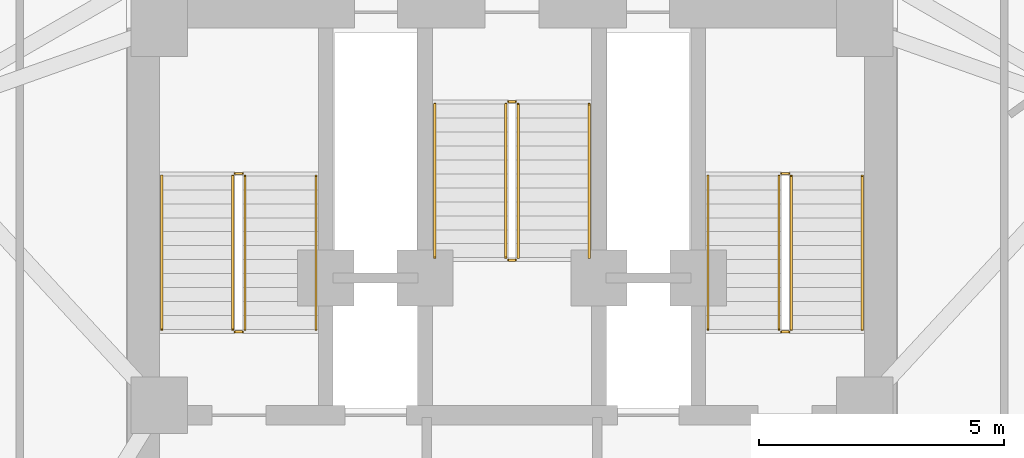
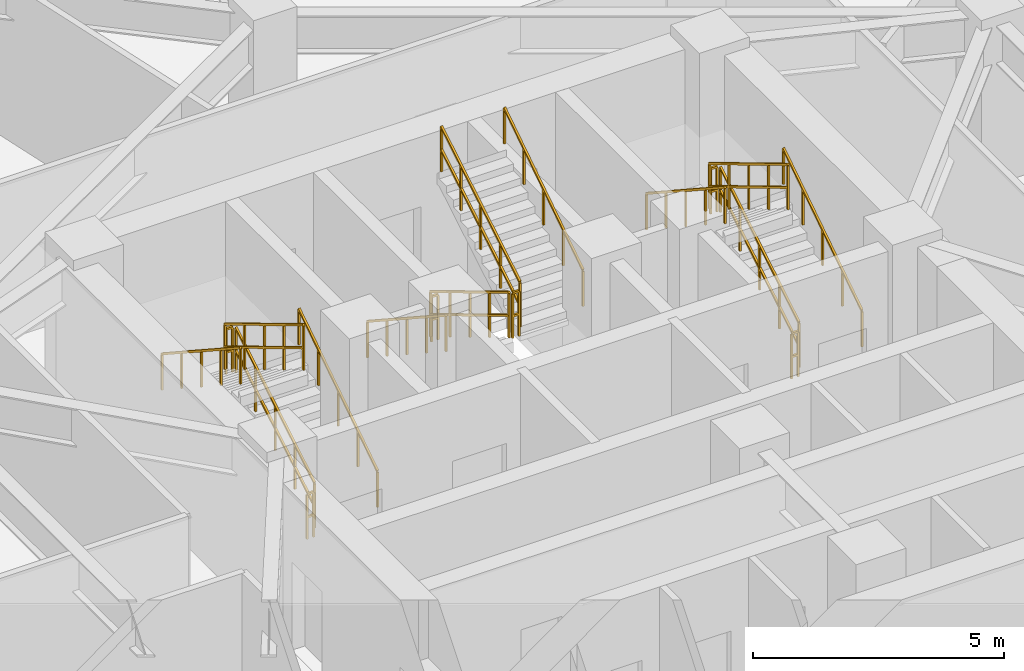
# One storey, part 10 of 10: 18 railings.
"""IFC4 building model written with IfcOpenShell, lengths in metres."""

from ifc_helpers import new_model, si_unit, direction, frame, origin, origin_2d, place, context, subcontext, project, spatial, rectangle, extrude, material, type_object, element, save


model = new_model("IFC4")

# Units and contexts
model_context = context("Model", 3, precision=1e-05, world=origin(), true_north=direction((0.0, 1.0)))
body_context = subcontext(model_context, "Body", "Model", "MODEL_VIEW")
ifc_project = project(units=[si_unit("LENGTHUNIT", "METRE"), si_unit("AREAUNIT", "SQUARE_METRE"), si_unit("VOLUMEUNIT", "CUBIC_METRE"), si_unit("PLANEANGLEUNIT", "RADIAN"), si_unit("MASSUNIT", "GRAM", prefix="KILO")], contexts=[model_context])

# Site, building, storey
site_placement = place(None, origin())
site = spatial("IfcSite", under=ifc_project, at=site_placement, CompositionType="ELEMENT")
building_placement = place(site_placement, origin())
building = spatial("IfcBuilding", under=site, at=building_placement, Name="Apsidion Concourse Tower", CompositionType="ELEMENT")
storey_placement = place(building_placement, frame((0.0, 0.0, 218.800048828125)))
storey = spatial("IfcBuildingStorey", under=building, at=storey_placement, Name="L51", CompositionType="ELEMENT", Elevation=218.800048828125)

# Railings
ifc_material = material(Name="Brushed stainless steel 316", Category="steel")
railing_type_1 = type_object("IfcRailingType", Name="RL-GUARD-1100", PredefinedType="GUARDRAIL", material=ifc_material)
railing_1_placement = place(storey_placement, frame((-5.449951171875, 3.0, 0.1708984375)))
element("IfcRailing", 1, at=railing_1_placement, inside=storey, type_object=railing_type_1, Name="L51 ST1 stair guard 1", PredefinedType="GUARDRAIL", context=body_context, shape_type="SweptSolid", body=[
    extrude(rectangle(XDim=0.048095703125, YDim=0.048095703125, at=origin_2d()), frame((0.0, 0.0, 1.09619140625), z_axis=(0.0, 0.857716804754, 0.514122439544), x_axis=(-1.0, 0.0, 0.0)), (0.0, 0.0, 1.0), 3.655029296875),
    extrude(rectangle(XDim=0.048095703125, YDim=0.048095703125, at=origin_2d()), frame((0.0, 0.0, 0.5361328125), z_axis=(0.0, 0.857716804754, 0.514122439544), x_axis=(-1.0, 0.0, 0.0)), (0.0, 0.0, 1.0), 3.655029296875),
    extrude(rectangle(XDim=0.0419921875, YDim=0.0419921875, at=origin_2d()), origin(), (0.0, 0.0, 1.0), 1.072021484375),
    extrude(rectangle(XDim=0.0419921875, YDim=0.0419921875, at=origin_2d()), frame((0.0, 0.78369140625, 0.4697265625)), (0.0, 0.0, 1.0), 1.072021484375),
    extrude(rectangle(XDim=0.0419921875, YDim=0.0419921875, at=origin_2d()), frame((0.0, 1.5673828125, 0.939453125)), (0.0, 0.0, 1.0), 1.072021484375),
    extrude(rectangle(XDim=0.0419921875, YDim=0.0419921875, at=origin_2d()), frame((0.0, 2.351318359375, 1.409423828125)), (0.0, 0.0, 1.0), 1.072021484375),
    extrude(rectangle(XDim=0.0419921875, YDim=0.0419921875, at=origin_2d()), frame((0.0, 3.135009765625, 1.879150390625)), (0.0, 0.0, 1.0), 1.072021484375),
])
railing_2_placement = place(storey_placement, frame((-5.5, 6.18505859375, 2.050048828125)))
element("IfcRailing", 2, at=railing_2_placement, inside=storey, type_object=railing_type_1, Name="L51 ST1 stair guard 2", PredefinedType="GUARDRAIL", context=body_context, shape_type="SweptSolid", body=[
    extrude(rectangle(XDim=0.048095703125, YDim=0.048095703125, at=origin_2d()), frame((0.0, 0.0, 1.09619140625), z_axis=(-1.0, 0.0, 0.0), x_axis=(0.0, -1.0, 0.0)), (0.0, 0.0, 1.0), 0.14990234375),
    extrude(rectangle(XDim=0.048095703125, YDim=0.048095703125, at=origin_2d()), frame((0.0, 0.0, 0.5361328125), z_axis=(-1.0, 0.0, 0.0), x_axis=(0.0, -1.0, 0.0)), (0.0, 0.0, 1.0), 0.14990234375),
    extrude(rectangle(XDim=0.0419921875, YDim=0.0419921875, at=origin_2d()), origin(), (0.0, 0.0, 1.0), 1.072021484375),
    extrude(rectangle(XDim=0.0419921875, YDim=0.0419921875, at=origin_2d()), frame((-0.14990234375, 0.0, 0.0)), (0.0, 0.0, 1.0), 1.072021484375),
])
railing_3_placement = place(storey_placement, frame((-5.699951171875, 6.135009765625, 2.220703125)))
element("IfcRailing", 3, at=railing_3_placement, inside=storey, type_object=railing_type_1, Name="L51 ST1 stair guard 3", PredefinedType="GUARDRAIL", context=body_context, shape_type="SweptSolid", body=[
    extrude(rectangle(XDim=0.048095703125, YDim=0.048095703125, at=origin_2d()), frame((0.0, 0.0, 1.09619140625), z_axis=(0.0, -0.857716804754, 0.514122439544), x_axis=(1.0, 0.0, 0.0)), (0.0, 0.0, 1.0), 3.655029296875),
    extrude(rectangle(XDim=0.048095703125, YDim=0.048095703125, at=origin_2d()), frame((0.0, 0.0, 0.5361328125), z_axis=(0.0, -0.857716804754, 0.514122439544), x_axis=(1.0, 0.0, 0.0)), (0.0, 0.0, 1.0), 3.655029296875),
    extrude(rectangle(XDim=0.0419921875, YDim=0.0419921875, at=origin_2d()), origin(), (0.0, 0.0, 1.0), 1.072021484375),
    extrude(rectangle(XDim=0.0419921875, YDim=0.0419921875, at=origin_2d()), frame((0.0, -0.78369140625, 0.4697265625)), (0.0, 0.0, 1.0), 1.072021484375),
    extrude(rectangle(XDim=0.0419921875, YDim=0.0419921875, at=origin_2d()), frame((0.0, -1.5673828125, 0.939453125)), (0.0, 0.0, 1.0), 1.072021484375),
    extrude(rectangle(XDim=0.0419921875, YDim=0.0419921875, at=origin_2d()), frame((0.0, -2.351318359375, 1.409423828125)), (0.0, 0.0, 1.0), 1.072021484375),
    extrude(rectangle(XDim=0.0419921875, YDim=0.0419921875, at=origin_2d()), frame((0.0, -3.135009765625, 1.879150390625)), (0.0, 0.0, 1.0), 1.072021484375),
])
railing_4_placement = place(storey_placement, frame((-5.5, 2.949951171875, 0.0)))
element("IfcRailing", 4, at=railing_4_placement, inside=storey, type_object=railing_type_1, Name="L51 ST1 stair guard 4", PredefinedType="GUARDRAIL", context=body_context, shape_type="SweptSolid", body=[
    extrude(rectangle(XDim=0.048095703125, YDim=0.048095703125, at=origin_2d()), frame((0.0, 0.0, 1.09619140625), z_axis=(-1.0, 0.0, 0.0), x_axis=(0.0, -1.0, 0.0)), (0.0, 0.0, 1.0), 0.14990234375),
    extrude(rectangle(XDim=0.048095703125, YDim=0.048095703125, at=origin_2d()), frame((0.0, 0.0, 0.5361328125), z_axis=(-1.0, 0.0, 0.0), x_axis=(0.0, -1.0, 0.0)), (0.0, 0.0, 1.0), 0.14990234375),
    extrude(rectangle(XDim=0.0419921875, YDim=0.0419921875, at=origin_2d()), origin(), (0.0, 0.0, 1.0), 1.072021484375),
    extrude(rectangle(XDim=0.0419921875, YDim=0.0419921875, at=origin_2d()), frame((-0.14990234375, 0.0, 0.0)), (0.0, 0.0, 1.0), 1.072021484375),
])
railing_5_placement = place(storey_placement, frame((5.699951171875, 3.0, 0.1708984375)))
element("IfcRailing", 5, at=railing_5_placement, inside=storey, type_object=railing_type_1, Name="L51 ST2 stair guard 1", PredefinedType="GUARDRAIL", context=body_context, shape_type="SweptSolid", body=[
    extrude(rectangle(XDim=0.048095703125, YDim=0.048095703125, at=origin_2d()), frame((0.0, 0.0, 1.09619140625), z_axis=(0.0, 0.857716804754, 0.514122439544), x_axis=(-1.0, 0.0, 0.0)), (0.0, 0.0, 1.0), 3.655029296875),
    extrude(rectangle(XDim=0.048095703125, YDim=0.048095703125, at=origin_2d()), frame((0.0, 0.0, 0.5361328125), z_axis=(0.0, 0.857716804754, 0.514122439544), x_axis=(-1.0, 0.0, 0.0)), (0.0, 0.0, 1.0), 3.655029296875),
    extrude(rectangle(XDim=0.0419921875, YDim=0.0419921875, at=origin_2d()), origin(), (0.0, 0.0, 1.0), 1.072021484375),
    extrude(rectangle(XDim=0.0419921875, YDim=0.0419921875, at=origin_2d()), frame((0.0, 0.78369140625, 0.4697265625)), (0.0, 0.0, 1.0), 1.072021484375),
    extrude(rectangle(XDim=0.0419921875, YDim=0.0419921875, at=origin_2d()), frame((0.0, 1.5673828125, 0.939453125)), (0.0, 0.0, 1.0), 1.072021484375),
    extrude(rectangle(XDim=0.0419921875, YDim=0.0419921875, at=origin_2d()), frame((0.0, 2.351318359375, 1.409423828125)), (0.0, 0.0, 1.0), 1.072021484375),
    extrude(rectangle(XDim=0.0419921875, YDim=0.0419921875, at=origin_2d()), frame((0.0, 3.135009765625, 1.879150390625)), (0.0, 0.0, 1.0), 1.072021484375),
])
railing_6_placement = place(storey_placement, frame((5.64990234375, 6.18505859375, 2.050048828125)))
element("IfcRailing", 6, at=railing_6_placement, inside=storey, type_object=railing_type_1, Name="L51 ST2 stair guard 2", PredefinedType="GUARDRAIL", context=body_context, shape_type="SweptSolid", body=[
    extrude(rectangle(XDim=0.048095703125, YDim=0.048095703125, at=origin_2d()), frame((0.0, 0.0, 1.09619140625), z_axis=(-1.0, 0.0, 0.0), x_axis=(0.0, -1.0, 0.0)), (0.0, 0.0, 1.0), 0.14990234375),
    extrude(rectangle(XDim=0.048095703125, YDim=0.048095703125, at=origin_2d()), frame((0.0, 0.0, 0.5361328125), z_axis=(-1.0, 0.0, 0.0), x_axis=(0.0, -1.0, 0.0)), (0.0, 0.0, 1.0), 0.14990234375),
    extrude(rectangle(XDim=0.0419921875, YDim=0.0419921875, at=origin_2d()), origin(), (0.0, 0.0, 1.0), 1.072021484375),
    extrude(rectangle(XDim=0.0419921875, YDim=0.0419921875, at=origin_2d()), frame((-0.14990234375, 0.0, 0.0)), (0.0, 0.0, 1.0), 1.072021484375),
])
railing_7_placement = place(storey_placement, frame((5.449951171875, 6.135009765625, 2.220703125)))
element("IfcRailing", 7, at=railing_7_placement, inside=storey, type_object=railing_type_1, Name="L51 ST2 stair guard 3", PredefinedType="GUARDRAIL", context=body_context, shape_type="SweptSolid", body=[
    extrude(rectangle(XDim=0.048095703125, YDim=0.048095703125, at=origin_2d()), frame((0.0, 0.0, 1.09619140625), z_axis=(0.0, -0.857716804754, 0.514122439544), x_axis=(1.0, 0.0, 0.0)), (0.0, 0.0, 1.0), 3.655029296875),
    extrude(rectangle(XDim=0.048095703125, YDim=0.048095703125, at=origin_2d()), frame((0.0, 0.0, 0.5361328125), z_axis=(0.0, -0.857716804754, 0.514122439544), x_axis=(1.0, 0.0, 0.0)), (0.0, 0.0, 1.0), 3.655029296875),
    extrude(rectangle(XDim=0.0419921875, YDim=0.0419921875, at=origin_2d()), origin(), (0.0, 0.0, 1.0), 1.072021484375),
    extrude(rectangle(XDim=0.0419921875, YDim=0.0419921875, at=origin_2d()), frame((0.0, -0.78369140625, 0.4697265625)), (0.0, 0.0, 1.0), 1.072021484375),
    extrude(rectangle(XDim=0.0419921875, YDim=0.0419921875, at=origin_2d()), frame((0.0, -1.5673828125, 0.939453125)), (0.0, 0.0, 1.0), 1.072021484375),
    extrude(rectangle(XDim=0.0419921875, YDim=0.0419921875, at=origin_2d()), frame((0.0, -2.351318359375, 1.409423828125)), (0.0, 0.0, 1.0), 1.072021484375),
    extrude(rectangle(XDim=0.0419921875, YDim=0.0419921875, at=origin_2d()), frame((0.0, -3.135009765625, 1.879150390625)), (0.0, 0.0, 1.0), 1.072021484375),
])
railing_8_placement = place(storey_placement, frame((5.64990234375, 2.949951171875, 0.0)))
element("IfcRailing", 8, at=railing_8_placement, inside=storey, type_object=railing_type_1, Name="L51 ST2 stair guard 4", PredefinedType="GUARDRAIL", context=body_context, shape_type="SweptSolid", body=[
    extrude(rectangle(XDim=0.048095703125, YDim=0.048095703125, at=origin_2d()), frame((0.0, 0.0, 1.09619140625), z_axis=(-1.0, 0.0, 0.0), x_axis=(0.0, -1.0, 0.0)), (0.0, 0.0, 1.0), 0.14990234375),
    extrude(rectangle(XDim=0.048095703125, YDim=0.048095703125, at=origin_2d()), frame((0.0, 0.0, 0.5361328125), z_axis=(-1.0, 0.0, 0.0), x_axis=(0.0, -1.0, 0.0)), (0.0, 0.0, 1.0), 0.14990234375),
    extrude(rectangle(XDim=0.0419921875, YDim=0.0419921875, at=origin_2d()), origin(), (0.0, 0.0, 1.0), 1.072021484375),
    extrude(rectangle(XDim=0.0419921875, YDim=0.0419921875, at=origin_2d()), frame((-0.14990234375, 0.0, 0.0)), (0.0, 0.0, 1.0), 1.072021484375),
])
railing_9_placement = place(storey_placement, frame((-0.125, 7.60009765625, 0.1708984375)))
element("IfcRailing", 9, at=railing_9_placement, inside=storey, type_object=railing_type_1, Name="L51 ST3 stair guard 1", PredefinedType="GUARDRAIL", context=body_context, shape_type="SweptSolid", body=[
    extrude(rectangle(XDim=0.048095703125, YDim=0.048095703125, at=origin_2d()), frame((0.0, 0.0, 1.09619140625), z_axis=(0.0, -0.857716804754, 0.514122439544), x_axis=(1.0, 0.0, 0.0)), (0.0, 0.0, 1.0), 3.655029296875),
    extrude(rectangle(XDim=0.048095703125, YDim=0.048095703125, at=origin_2d()), frame((0.0, 0.0, 0.5361328125), z_axis=(0.0, -0.857716804754, 0.514122439544), x_axis=(1.0, 0.0, 0.0)), (0.0, 0.0, 1.0), 3.655029296875),
    extrude(rectangle(XDim=0.0419921875, YDim=0.0419921875, at=origin_2d()), origin(), (0.0, 0.0, 1.0), 1.072021484375),
    extrude(rectangle(XDim=0.0419921875, YDim=0.0419921875, at=origin_2d()), frame((0.0, -0.78369140625, 0.4697265625)), (0.0, 0.0, 1.0), 1.072021484375),
    extrude(rectangle(XDim=0.0419921875, YDim=0.0419921875, at=origin_2d()), frame((0.0, -1.5673828125, 0.939453125)), (0.0, 0.0, 1.0), 1.072021484375),
    extrude(rectangle(XDim=0.0419921875, YDim=0.0419921875, at=origin_2d()), frame((0.0, -2.351318359375, 1.409423828125)), (0.0, 0.0, 1.0), 1.072021484375),
    extrude(rectangle(XDim=0.0419921875, YDim=0.0419921875, at=origin_2d()), frame((0.0, -3.135009765625, 1.879150390625)), (0.0, 0.0, 1.0), 1.072021484375),
])
railing_10_placement = place(storey_placement, frame((-0.074951171875, 4.4150390625, 2.050048828125)))
element("IfcRailing", 10, at=railing_10_placement, inside=storey, type_object=railing_type_1, Name="L51 ST3 stair guard 2", PredefinedType="GUARDRAIL", context=body_context, shape_type="SweptSolid", body=[
    extrude(rectangle(XDim=0.048095703125, YDim=0.048095703125, at=origin_2d()), frame((0.0, 0.0, 1.09619140625), z_axis=(1.0, 0.0, 0.0), x_axis=(0.0, 1.0, 0.0)), (0.0, 0.0, 1.0), 0.14990234375),
    extrude(rectangle(XDim=0.048095703125, YDim=0.048095703125, at=origin_2d()), frame((0.0, 0.0, 0.5361328125), z_axis=(1.0, 0.0, 0.0), x_axis=(0.0, 1.0, 0.0)), (0.0, 0.0, 1.0), 0.14990234375),
    extrude(rectangle(XDim=0.0419921875, YDim=0.0419921875, at=origin_2d()), origin(), (0.0, 0.0, 1.0), 1.072021484375),
    extrude(rectangle(XDim=0.0419921875, YDim=0.0419921875, at=origin_2d()), frame((0.14990234375, 0.0, 0.0)), (0.0, 0.0, 1.0), 1.072021484375),
])
railing_11_placement = place(storey_placement, frame((0.125, 4.465087890625, 2.220703125)))
element("IfcRailing", 11, at=railing_11_placement, inside=storey, type_object=railing_type_1, Name="L51 ST3 stair guard 3", PredefinedType="GUARDRAIL", context=body_context, shape_type="SweptSolid", body=[
    extrude(rectangle(XDim=0.048095703125, YDim=0.048095703125, at=origin_2d()), frame((0.0, 0.0, 1.09619140625), z_axis=(0.0, 0.857716804754, 0.514122439544), x_axis=(-1.0, 0.0, 0.0)), (0.0, 0.0, 1.0), 3.655029296875),
    extrude(rectangle(XDim=0.048095703125, YDim=0.048095703125, at=origin_2d()), frame((0.0, 0.0, 0.5361328125), z_axis=(0.0, 0.857716804754, 0.514122439544), x_axis=(-1.0, 0.0, 0.0)), (0.0, 0.0, 1.0), 3.655029296875),
    extrude(rectangle(XDim=0.0419921875, YDim=0.0419921875, at=origin_2d()), origin(), (0.0, 0.0, 1.0), 1.072021484375),
    extrude(rectangle(XDim=0.0419921875, YDim=0.0419921875, at=origin_2d()), frame((0.0, 0.78369140625, 0.4697265625)), (0.0, 0.0, 1.0), 1.072021484375),
    extrude(rectangle(XDim=0.0419921875, YDim=0.0419921875, at=origin_2d()), frame((0.0, 1.5673828125, 0.939453125)), (0.0, 0.0, 1.0), 1.072021484375),
    extrude(rectangle(XDim=0.0419921875, YDim=0.0419921875, at=origin_2d()), frame((0.0, 2.351318359375, 1.409423828125)), (0.0, 0.0, 1.0), 1.072021484375),
    extrude(rectangle(XDim=0.0419921875, YDim=0.0419921875, at=origin_2d()), frame((0.0, 3.135009765625, 1.879150390625)), (0.0, 0.0, 1.0), 1.072021484375),
])
railing_12_placement = place(storey_placement, frame((-0.074951171875, 7.64990234375, 0.0)))
element("IfcRailing", 12, at=railing_12_placement, inside=storey, type_object=railing_type_1, Name="L51 ST3 stair guard 4", PredefinedType="GUARDRAIL", context=body_context, shape_type="SweptSolid", body=[
    extrude(rectangle(XDim=0.048095703125, YDim=0.048095703125, at=origin_2d()), frame((0.0, 0.0, 1.09619140625), z_axis=(1.0, 0.0, 0.0), x_axis=(0.0, 1.0, 0.0)), (0.0, 0.0, 1.0), 0.14990234375),
    extrude(rectangle(XDim=0.048095703125, YDim=0.048095703125, at=origin_2d()), frame((0.0, 0.0, 0.5361328125), z_axis=(1.0, 0.0, 0.0), x_axis=(0.0, 1.0, 0.0)), (0.0, 0.0, 1.0), 0.14990234375),
    extrude(rectangle(XDim=0.0419921875, YDim=0.0419921875, at=origin_2d()), origin(), (0.0, 0.0, 1.0), 1.072021484375),
    extrude(rectangle(XDim=0.0419921875, YDim=0.0419921875, at=origin_2d()), frame((0.14990234375, 0.0, 0.0)), (0.0, 0.0, 1.0), 1.072021484375),
])
railing_type_2 = type_object("IfcRailingType", Name="RL-HAND-900", PredefinedType="HANDRAIL", material=ifc_material)
railing_13_placement = place(storey_placement, frame((-4.0, 3.0, 0.1708984375)))
element("IfcRailing", 13, at=railing_13_placement, inside=storey, type_object=railing_type_2, Name="L51 ST1 stair handrail 1", PredefinedType="HANDRAIL", context=body_context, shape_type="SweptSolid", body=[
    extrude(rectangle(XDim=0.048095703125, YDim=0.048095703125, at=origin_2d()), frame((0.0, 0.0, 0.8759765625), z_axis=(0.0, 0.836970762213, 0.547247606848), x_axis=(-1.0, 0.0, 0.0)), (0.0, 0.0, 1.0), 3.74560546875),
    extrude(rectangle(XDim=0.0419921875, YDim=0.0419921875, at=origin_2d()), origin(), (0.0, 0.0, 1.0), 0.851806640625),
    extrude(rectangle(XDim=0.0419921875, YDim=0.0419921875, at=origin_2d()), frame((0.0, 0.78369140625, 0.512451171875)), (0.0, 0.0, 1.0), 0.851806640625),
    extrude(rectangle(XDim=0.0419921875, YDim=0.0419921875, at=origin_2d()), frame((0.0, 1.5673828125, 1.02490234375)), (0.0, 0.0, 1.0), 0.851806640625),
    extrude(rectangle(XDim=0.0419921875, YDim=0.0419921875, at=origin_2d()), frame((0.0, 2.351318359375, 1.537353515625)), (0.0, 0.0, 1.0), 0.851806640625),
    extrude(rectangle(XDim=0.0419921875, YDim=0.0419921875, at=origin_2d()), frame((0.0, 3.135009765625, 2.0498046875)), (0.0, 0.0, 1.0), 0.851806640625),
])
railing_14_placement = place(storey_placement, frame((-7.14990234375, 6.135009765625, 2.220703125)))
element("IfcRailing", 14, at=railing_14_placement, inside=storey, type_object=railing_type_2, Name="L51 ST1 stair handrail 2", PredefinedType="HANDRAIL", context=body_context, shape_type="SweptSolid", body=[
    extrude(rectangle(XDim=0.048095703125, YDim=0.048095703125, at=origin_2d()), frame((0.0, 0.0, 0.8759765625), z_axis=(0.0, -0.836940907821, 0.547293263996), x_axis=(1.0, 0.0, 0.0)), (0.0, 0.0, 1.0), 3.745849609375),
    extrude(rectangle(XDim=0.0419921875, YDim=0.0419921875, at=origin_2d()), origin(), (0.0, 0.0, 1.0), 0.851806640625),
    extrude(rectangle(XDim=0.0419921875, YDim=0.0419921875, at=origin_2d()), frame((0.0, -0.78369140625, 0.512451171875)), (0.0, 0.0, 1.0), 0.851806640625),
    extrude(rectangle(XDim=0.0419921875, YDim=0.0419921875, at=origin_2d()), frame((0.0, -1.5673828125, 1.02490234375)), (0.0, 0.0, 1.0), 0.851806640625),
    extrude(rectangle(XDim=0.0419921875, YDim=0.0419921875, at=origin_2d()), frame((0.0, -2.351318359375, 1.53759765625)), (0.0, 0.0, 1.0), 0.851806640625),
    extrude(rectangle(XDim=0.0419921875, YDim=0.0419921875, at=origin_2d()), frame((0.0, -3.135009765625, 2.050048828125)), (0.0, 0.0, 1.0), 0.851806640625),
])
railing_15_placement = place(storey_placement, frame((7.14990234375, 3.0, 0.1708984375)))
element("IfcRailing", 15, at=railing_15_placement, inside=storey, type_object=railing_type_2, Name="L51 ST2 stair handrail 1", PredefinedType="HANDRAIL", context=body_context, shape_type="SweptSolid", body=[
    extrude(rectangle(XDim=0.048095703125, YDim=0.048095703125, at=origin_2d()), frame((0.0, 0.0, 0.8759765625), z_axis=(0.0, 0.836970762213, 0.547247606848), x_axis=(-1.0, 0.0, 0.0)), (0.0, 0.0, 1.0), 3.74560546875),
    extrude(rectangle(XDim=0.0419921875, YDim=0.0419921875, at=origin_2d()), origin(), (0.0, 0.0, 1.0), 0.851806640625),
    extrude(rectangle(XDim=0.0419921875, YDim=0.0419921875, at=origin_2d()), frame((0.0, 0.78369140625, 0.512451171875)), (0.0, 0.0, 1.0), 0.851806640625),
    extrude(rectangle(XDim=0.0419921875, YDim=0.0419921875, at=origin_2d()), frame((0.0, 1.5673828125, 1.02490234375)), (0.0, 0.0, 1.0), 0.851806640625),
    extrude(rectangle(XDim=0.0419921875, YDim=0.0419921875, at=origin_2d()), frame((0.0, 2.351318359375, 1.537353515625)), (0.0, 0.0, 1.0), 0.851806640625),
    extrude(rectangle(XDim=0.0419921875, YDim=0.0419921875, at=origin_2d()), frame((0.0, 3.135009765625, 2.0498046875)), (0.0, 0.0, 1.0), 0.851806640625),
])
railing_16_placement = place(storey_placement, frame((4.0, 6.135009765625, 2.220703125)))
element("IfcRailing", 16, at=railing_16_placement, inside=storey, type_object=railing_type_2, Name="L51 ST2 stair handrail 2", PredefinedType="HANDRAIL", context=body_context, shape_type="SweptSolid", body=[
    extrude(rectangle(XDim=0.048095703125, YDim=0.048095703125, at=origin_2d()), frame((0.0, 0.0, 0.8759765625), z_axis=(0.0, -0.836940907821, 0.547293263996), x_axis=(1.0, 0.0, 0.0)), (0.0, 0.0, 1.0), 3.745849609375),
    extrude(rectangle(XDim=0.0419921875, YDim=0.0419921875, at=origin_2d()), origin(), (0.0, 0.0, 1.0), 0.851806640625),
    extrude(rectangle(XDim=0.0419921875, YDim=0.0419921875, at=origin_2d()), frame((0.0, -0.78369140625, 0.512451171875)), (0.0, 0.0, 1.0), 0.851806640625),
    extrude(rectangle(XDim=0.0419921875, YDim=0.0419921875, at=origin_2d()), frame((0.0, -1.5673828125, 1.02490234375)), (0.0, 0.0, 1.0), 0.851806640625),
    extrude(rectangle(XDim=0.0419921875, YDim=0.0419921875, at=origin_2d()), frame((0.0, -2.351318359375, 1.53759765625)), (0.0, 0.0, 1.0), 0.851806640625),
    extrude(rectangle(XDim=0.0419921875, YDim=0.0419921875, at=origin_2d()), frame((0.0, -3.135009765625, 2.050048828125)), (0.0, 0.0, 1.0), 0.851806640625),
])
railing_17_placement = place(storey_placement, frame((-1.574951171875, 7.60009765625, 0.1708984375)))
element("IfcRailing", 17, at=railing_17_placement, inside=storey, type_object=railing_type_2, Name="L51 ST3 stair handrail 1", PredefinedType="HANDRAIL", context=body_context, shape_type="SweptSolid", body=[
    extrude(rectangle(XDim=0.048095703125, YDim=0.048095703125, at=origin_2d()), frame((0.0, 0.0, 0.8759765625), z_axis=(0.0, -0.836970762213, 0.547247606848), x_axis=(1.0, 0.0, 0.0)), (0.0, 0.0, 1.0), 3.74560546875),
    extrude(rectangle(XDim=0.0419921875, YDim=0.0419921875, at=origin_2d()), origin(), (0.0, 0.0, 1.0), 0.851806640625),
    extrude(rectangle(XDim=0.0419921875, YDim=0.0419921875, at=origin_2d()), frame((0.0, -0.78369140625, 0.512451171875)), (0.0, 0.0, 1.0), 0.851806640625),
    extrude(rectangle(XDim=0.0419921875, YDim=0.0419921875, at=origin_2d()), frame((0.0, -1.5673828125, 1.02490234375)), (0.0, 0.0, 1.0), 0.851806640625),
    extrude(rectangle(XDim=0.0419921875, YDim=0.0419921875, at=origin_2d()), frame((0.0, -2.351318359375, 1.537353515625)), (0.0, 0.0, 1.0), 0.851806640625),
    extrude(rectangle(XDim=0.0419921875, YDim=0.0419921875, at=origin_2d()), frame((0.0, -3.135009765625, 2.0498046875)), (0.0, 0.0, 1.0), 0.851806640625),
])
railing_18_placement = place(storey_placement, frame((1.574951171875, 4.465087890625, 2.220703125)))
element("IfcRailing", 18, at=railing_18_placement, inside=storey, type_object=railing_type_2, Name="L51 ST3 stair handrail 2", PredefinedType="HANDRAIL", context=body_context, shape_type="SweptSolid", body=[
    extrude(rectangle(XDim=0.048095703125, YDim=0.048095703125, at=origin_2d()), frame((0.0, 0.0, 0.8759765625), z_axis=(0.0, 0.836940907821, 0.547293263996), x_axis=(-1.0, 0.0, 0.0)), (0.0, 0.0, 1.0), 3.745849609375),
    extrude(rectangle(XDim=0.0419921875, YDim=0.0419921875, at=origin_2d()), origin(), (0.0, 0.0, 1.0), 0.851806640625),
    extrude(rectangle(XDim=0.0419921875, YDim=0.0419921875, at=origin_2d()), frame((0.0, 0.78369140625, 0.512451171875)), (0.0, 0.0, 1.0), 0.851806640625),
    extrude(rectangle(XDim=0.0419921875, YDim=0.0419921875, at=origin_2d()), frame((0.0, 1.5673828125, 1.02490234375)), (0.0, 0.0, 1.0), 0.851806640625),
    extrude(rectangle(XDim=0.0419921875, YDim=0.0419921875, at=origin_2d()), frame((0.0, 2.351318359375, 1.53759765625)), (0.0, 0.0, 1.0), 0.851806640625),
    extrude(rectangle(XDim=0.0419921875, YDim=0.0419921875, at=origin_2d()), frame((0.0, 3.135009765625, 2.050048828125)), (0.0, 0.0, 1.0), 0.851806640625),
])

save(model, "model.ifc")
